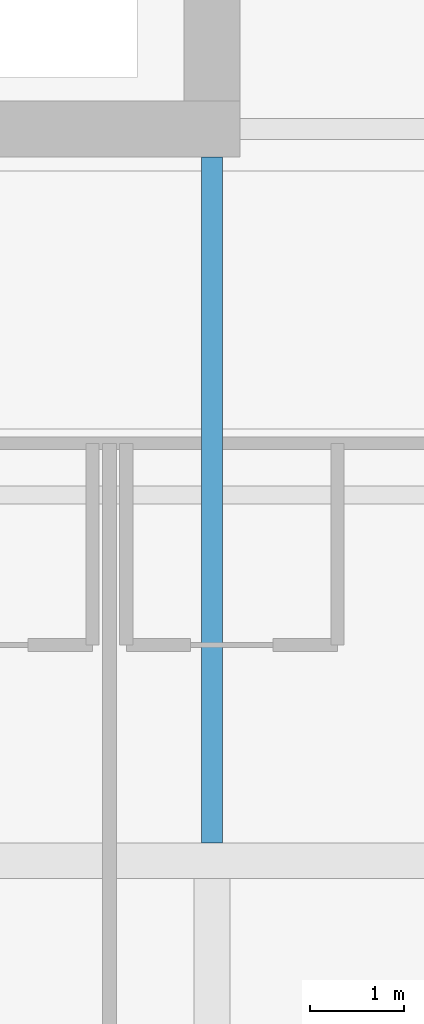
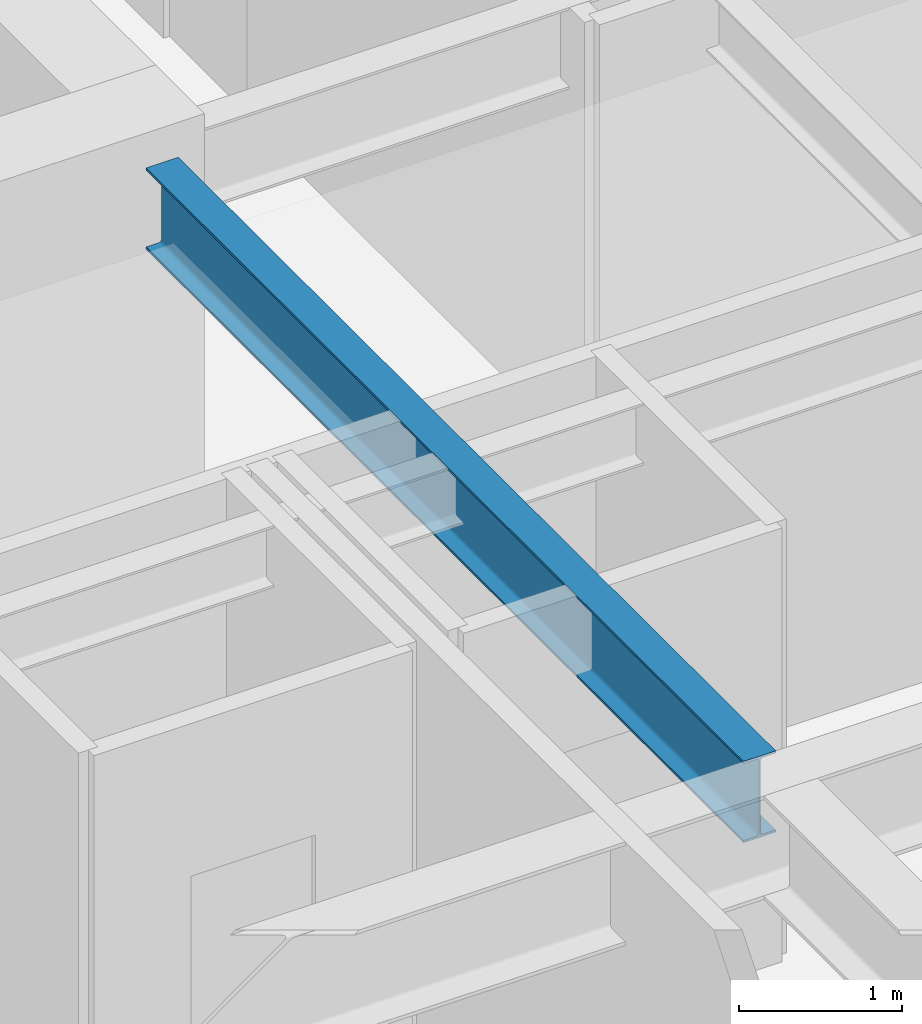
# One storey, part 12 of 37: 1 beam.
"""IFC4 building model written with IfcOpenShell, lengths in metres."""

from ifc_helpers import new_model, si_unit, direction, frame, origin, origin_2d, place, context, subcontext, project, spatial, i_section, extrude, material, material_profile, profile_set, type_object, element, save


model = new_model("IFC4")

# Units and contexts
model_context = context("Model", 3, precision=1e-05, world=origin(), true_north=direction((0.0, 1.0)))
body_context = subcontext(model_context, "Body", "Model", "MODEL_VIEW")
ifc_project = project(units=[si_unit("LENGTHUNIT", "METRE"), si_unit("AREAUNIT", "SQUARE_METRE"), si_unit("VOLUMEUNIT", "CUBIC_METRE"), si_unit("PLANEANGLEUNIT", "RADIAN"), si_unit("MASSUNIT", "GRAM", prefix="KILO")], contexts=[model_context])

# Site, building, storey
site_placement = place(None, origin())
site = spatial("IfcSite", under=ifc_project, at=site_placement, CompositionType="ELEMENT")
building_placement = place(site_placement, origin())
building = spatial("IfcBuilding", under=site, at=building_placement, Name="Drelvath Grand Hotel", CompositionType="ELEMENT")
storey_placement = place(building_placement, frame((0.0, 0.0, 75.199951171875)))
storey = spatial("IfcBuildingStorey", under=building, at=storey_placement, Name="L18", CompositionType="ELEMENT", Elevation=75.199951171875)

# Beam
ifc_material = material(Name="Steel ASTM A992 Gr 50", Category="steel")
ifc_material_profile = material_profile(ifc_material, i_section(OverallWidth=0.228271484375, OverallDepth=0.607666015625, WebThickness=0.01123046875, FlangeThickness=0.017333984375, FilletRadius=0.02001953125, at=origin_2d()), Name="W24X76")
ifc_profile_set = profile_set([ifc_material_profile], Name="Steel ASTM A992 Gr 50")
beam_type = type_object("IfcBeamType", Name="Primary Floor Girder W24X76", PredefinedType="BEAM", material=ifc_profile_set)
beam_placement = place(storey_placement, frame((8.39990234375, 10.990234375, 2.936279296875), z_axis=(0.0, 1.0, 0.0), x_axis=(-1.0, 0.0, 0.0)))
element("IfcBeam", 1, at=beam_placement, inside=storey, type_object=beam_type, Name="L18 South Core Tie 6", PredefinedType="BEAM", context=body_context, shape_type="SweptSolid", body=[
    extrude(i_section(OverallWidth=0.228271484375, OverallDepth=0.607666015625, WebThickness=0.01123046875, FlangeThickness=0.017333984375, FilletRadius=0.02001953125, at=origin_2d()), origin(), (0.0, 0.0, 1.0), 7.309814453125),
])

save(model, "model.ifc")
